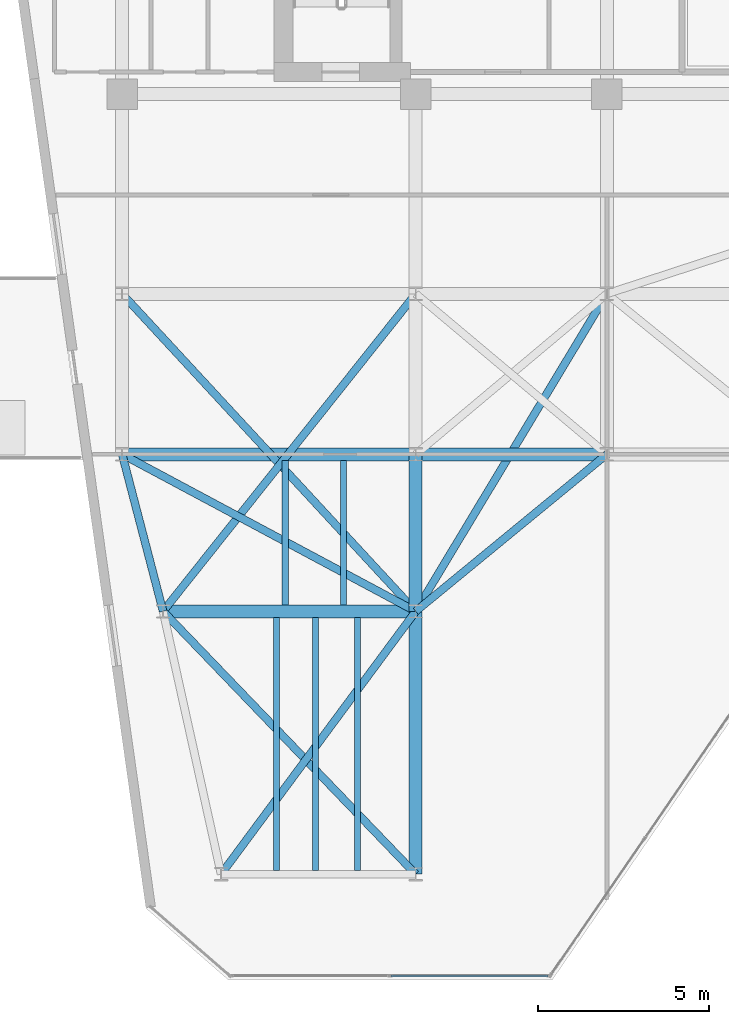
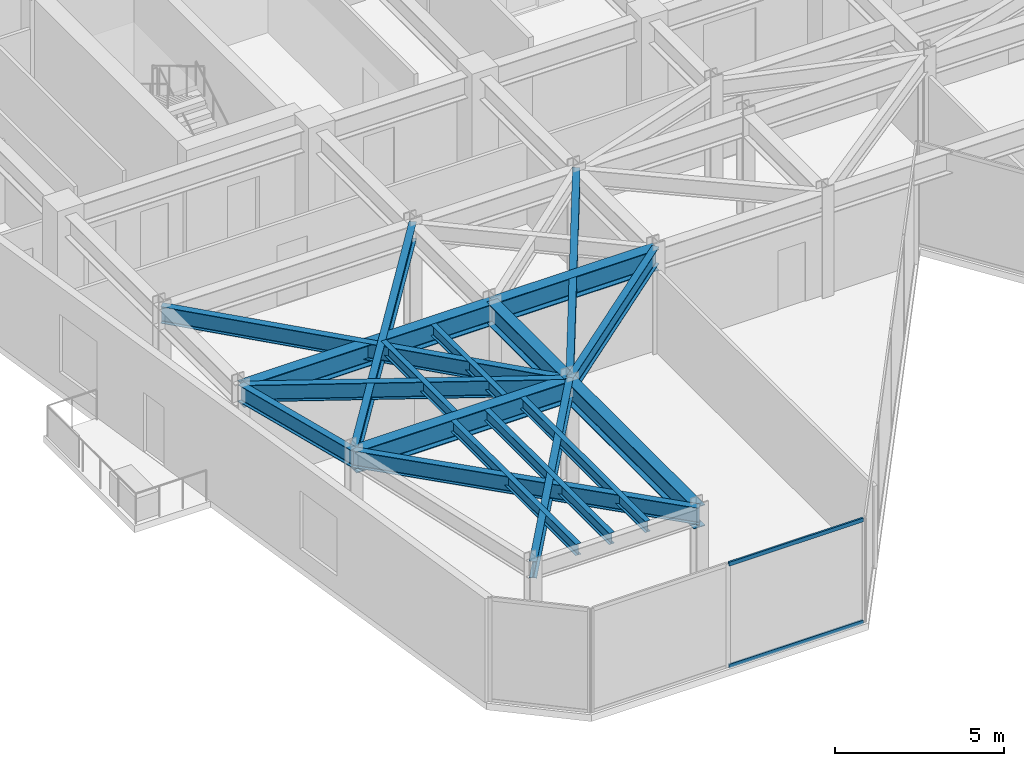
# One storey, part 3 of 21: 18 beams, 2 members, 1 element without a shape of its own.
"""IFC4 building model written with IfcOpenShell, lengths in metres."""

from ifc_helpers import new_model, si_unit, direction, frame, origin, origin_2d, place, context, subcontext, project, spatial, hollow_rectangle, i_section, extrude, material, layer, layer_set, material_profile, profile_set, type_object, element, aggregate, save


model = new_model("IFC4")

# Units and contexts
model_context = context("Model", 3, precision=1e-05, world=origin(), true_north=direction((0.0, 1.0)))
body_context = subcontext(model_context, "Body", "Model", "MODEL_VIEW")
ifc_project = project(units=[si_unit("LENGTHUNIT", "METRE"), si_unit("AREAUNIT", "SQUARE_METRE"), si_unit("VOLUMEUNIT", "CUBIC_METRE"), si_unit("PLANEANGLEUNIT", "RADIAN"), si_unit("MASSUNIT", "GRAM", prefix="KILO")], contexts=[model_context])

# Site, building, storey
site_placement = place(None, origin())
site = spatial("IfcSite", under=ifc_project, at=site_placement, CompositionType="ELEMENT")
building_placement = place(site_placement, origin())
building = spatial("IfcBuilding", under=site, at=building_placement, Name="Kravanh Interchange Tower", CompositionType="ELEMENT")
storey_placement = place(building_placement, frame((0.0, 0.0, 208.5)))
storey = spatial("IfcBuildingStorey", under=building, at=storey_placement, Name="L50", CompositionType="ELEMENT", Elevation=208.5)

# Curtain wall, members
ifc_material_1 = material(Name="Anodised Bronze Aluminium", Category="aluminium")
ifc_layer = layer(ifc_material_1, 0.179931640625)
ifc_layer_set = layer_set([ifc_layer], Name="Unitised Curtain Wall System CW-Z3 Upper Office")
curtain_wall_type = type_object("IfcCurtainWallType", Name="Unitised Curtain Wall System CW-Z3 Upper Office", PredefinedType="NOTDEFINED", material=ifc_layer_set)
curtain_wall_placement = place(storey_placement, origin())
curtain_wall = element("IfcCurtainWall", 1, at=curtain_wall_placement, inside=storey, type_object=curtain_wall_type, Name="L50 Unitised Curtain Wall CW-L50-05", PredefinedType="NOTDEFINED")
ifc_material_2 = material(Name="Anodised Bronze Aluminium", Category="aluminium")
ifc_material_profile_1 = material_profile(ifc_material_2, hollow_rectangle(XDim=0.06005859375, YDim=0.139892578125, WallThickness=0.00390625, at=origin_2d()), Name="ALU60X140X4")
ifc_profile_set_1 = profile_set([ifc_material_profile_1], Name="Anodised Bronze Aluminium")
member_type = type_object("IfcMemberType", Name="Curtain Wall Transom ALU60X140X4 Bronze", PredefinedType="USERDEFINED", material=ifc_profile_set_1)
member_1_placement = place(storey_placement, frame((31.076904296875, 11.52001953125, 0.030029296875), z_axis=(-1.0, 0.0, 0.0), x_axis=(0.0, -1.0, 0.0)))
member_1 = element("IfcMember", 2, at=member_1_placement, type_object=member_type, Name="CW-Z3 transom 1.1", ObjectType="TRANSOM", PredefinedType="USERDEFINED", context=body_context, shape_type="SweptSolid", body=[
    extrude(hollow_rectangle(XDim=0.06005859375, YDim=0.139892578125, WallThickness=0.00390625, at=origin_2d()), origin(), (0.0, 0.0, 1.0), 4.598876953125),
])
member_2_placement = place(storey_placement, frame((31.076904296875, 11.52001953125, 3.72509765625), z_axis=(-1.0, 0.0, 0.0), x_axis=(0.0, -1.0, 0.0)))
member_2 = element("IfcMember", 3, at=member_2_placement, type_object=member_type, Name="CW-Z3 transom 1.2", ObjectType="TRANSOM", PredefinedType="USERDEFINED", context=body_context, shape_type="SweptSolid", body=[
    extrude(hollow_rectangle(XDim=0.06005859375, YDim=0.139892578125, WallThickness=0.00390625, at=origin_2d()), origin(), (0.0, 0.0, 1.0), 4.598876953125),
])
aggregate(curtain_wall, [member_1, member_2])

# Beams
ifc_material_3 = material(Name="Structural Steel S355", Category="steel")
ifc_material_profile_2 = material_profile(ifc_material_3, i_section(OverallWidth=0.381103515625, OverallDepth=0.77294921875, WebThickness=0.0166015625, FlangeThickness=0.027099609375, FilletRadius=0.02490234375, at=origin_2d()), Name="W30X173")
ifc_profile_set_2 = profile_set([ifc_material_profile_2], Name="Structural Steel S355")
beam_type_1 = type_object("IfcBeamType", Name="Floor Beam W30X173 Structural Steel S355", PredefinedType="BEAM", material=ifc_profile_set_2)
beam_1_placement = place(storey_placement, frame((18.60009765625, 26.800048828125, 3.368408203125), z_axis=(1.0, 0.0, 0.0), x_axis=(0.0, 1.0, 0.0)))
element("IfcBeam", 4, at=beam_1_placement, inside=storey, type_object=beam_type_1, Name="L50 Primary Floor Girder 35", PredefinedType="BEAM", context=body_context, shape_type="SweptSolid", body=[
    extrude(i_section(OverallWidth=0.381103515625, OverallDepth=0.77294921875, WebThickness=0.0166015625, FlangeThickness=0.027099609375, FilletRadius=0.02490234375, at=origin_2d()), origin(), (0.0, 0.0, 1.0), 8.599853515625),
])
beam_2_placement = place(storey_placement, frame((27.199951171875, 26.800048828125, 3.368408203125), z_axis=(0.0, -1.0, 0.0), x_axis=(1.0, 0.0, 0.0)))
element("IfcBeam", 5, at=beam_2_placement, inside=storey, type_object=beam_type_1, Name="L50 Primary Floor Girder 37", PredefinedType="BEAM", context=body_context, shape_type="SweptSolid", body=[
    extrude(i_section(OverallWidth=0.381103515625, OverallDepth=0.77294921875, WebThickness=0.0166015625, FlangeThickness=0.027099609375, FilletRadius=0.02490234375, at=origin_2d()), origin(), (0.0, 0.0, 1.0), 4.60009765625),
])
beam_3_placement = place(storey_placement, frame((27.199951171875, 26.800048828125, 3.368408203125), z_axis=(1.0, 0.0, 0.0), x_axis=(0.0, 1.0, 0.0)))
element("IfcBeam", 6, at=beam_3_placement, inside=storey, type_object=beam_type_1, Name="L50 Primary Floor Girder 39", PredefinedType="BEAM", context=body_context, shape_type="SweptSolid", body=[
    extrude(i_section(OverallWidth=0.381103515625, OverallDepth=0.77294921875, WebThickness=0.0166015625, FlangeThickness=0.027099609375, FilletRadius=0.02490234375, at=origin_2d()), origin(), (0.0, 0.0, 1.0), 5.60009765625),
])
beam_4_placement = place(storey_placement, frame((27.199951171875, 14.5, 3.368408203125), z_axis=(0.0, 1.0, 0.0), x_axis=(-1.0, 0.0, 0.0)))
element("IfcBeam", 7, at=beam_4_placement, inside=storey, type_object=beam_type_1, Name="L50 Primary Floor Girder 70", PredefinedType="BEAM", context=body_context, shape_type="SweptSolid", body=[
    extrude(i_section(OverallWidth=0.381103515625, OverallDepth=0.77294921875, WebThickness=0.0166015625, FlangeThickness=0.027099609375, FilletRadius=0.02490234375, at=origin_2d()), origin(), (0.0, 0.0, 1.0), 7.699951171875),
])
beam_5_placement = place(storey_placement, frame((19.800048828125, 22.199951171875, 3.368408203125), z_axis=(1.0, 0.0, 0.0), x_axis=(0.0, 1.0, 0.0)))
element("IfcBeam", 8, at=beam_5_placement, inside=storey, type_object=beam_type_1, Name="L50 Primary Floor Girder 91", PredefinedType="BEAM", context=body_context, shape_type="SweptSolid", body=[
    extrude(i_section(OverallWidth=0.381103515625, OverallDepth=0.77294921875, WebThickness=0.0166015625, FlangeThickness=0.027099609375, FilletRadius=0.02490234375, at=origin_2d()), origin(), (0.0, 0.0, 1.0), 7.39990234375),
])
ifc_material_4 = material(Name="Structural Steel S355", Category="steel")
ifc_material_profile_3 = material_profile(ifc_material_4, i_section(OverallWidth=0.177978515625, OverallDepth=0.406005859375, WebThickness=0.0078125, FlangeThickness=0.0126953125, FilletRadius=0.01611328125, at=origin_2d()), Name="W16X40")
ifc_profile_set_3 = profile_set([ifc_material_profile_3], Name="Structural Steel S355")
beam_type_2 = type_object("IfcBeamType", Name="Floor Joist W16X40 Structural Steel S355", PredefinedType="JOIST", material=ifc_profile_set_3)
for number, where, z_axis, x_axis, name in (
    (9, (23.117919921875, 14.60888671875, 3.552001953125), (0.0, 1.0, 0.0), (-1.0, 0.0, 0.0), "L50 Secondary Floor Joist 1"),
    (10, (24.261962890625, 14.60888671875, 3.552001953125), (0.0, 1.0, 0.0), (-1.0, 0.0, 0.0), "L50 Secondary Floor Joist 2"),
    (11, (25.493896484375, 14.60888671875, 3.552001953125), (0.0, 1.0, 0.0), (-1.0, 0.0, 0.0), "L50 Secondary Floor Joist 3"),
):
    element("IfcBeam", number, at=place(storey_placement, frame(where, z_axis=z_axis, x_axis=x_axis)), inside=storey, type_object=beam_type_2, Name=name, PredefinedType="JOIST", context=body_context, shape_type="SweptSolid", body=[
        extrude(i_section(OverallWidth=0.177978515625, OverallDepth=0.406005859375, WebThickness=0.0078125, FlangeThickness=0.0126953125, FilletRadius=0.01611328125, at=origin_2d()), origin(), (0.0, 0.0, 1.0), 7.405517578125),
    ])
for number, where, z_axis, x_axis, name in (
    (12, (23.3779296875, 22.385498046875, 3.552001953125), (0.0, 1.0, 0.0), (-1.0, 0.0, 0.0), "L50 Secondary Floor Joist 8"),
    (13, (25.0859375, 22.385498046875, 3.552001953125), (0.0, 1.0, 0.0), (-1.0, 0.0, 0.0), "L50 Secondary Floor Joist 9"),
):
    element("IfcBeam", number, at=place(storey_placement, frame(where, z_axis=z_axis, x_axis=x_axis)), inside=storey, type_object=beam_type_2, Name=name, PredefinedType="JOIST", context=body_context, shape_type="SweptSolid", body=[
        extrude(i_section(OverallWidth=0.177978515625, OverallDepth=0.406005859375, WebThickness=0.0078125, FlangeThickness=0.0126953125, FilletRadius=0.01611328125, at=origin_2d()), origin(), (0.0, 0.0, 1.0), 4.22900390625),
    ])
ifc_material_5 = material(Name="Structural Steel S355", Category="steel")
ifc_material_profile_4 = material_profile(ifc_material_5, i_section(OverallWidth=0.22802734375, OverallDepth=0.60791015625, WebThickness=0.01123046875, FlangeThickness=0.017333984375, FilletRadius=0.02197265625, at=origin_2d()), Name="W24X76")
ifc_profile_set_4 = profile_set([ifc_material_profile_4], Name="Structural Steel S355")
beam_type_3 = type_object("IfcBeamType", Name="Floor Spandrel W24X76 Structural Steel S355", PredefinedType="SPANDREL", material=ifc_profile_set_4)
beam_6_placement = place(storey_placement, frame((21.5, 14.5, 3.450927734375), z_axis=(0.59497703726, 0.803742698339, 0.0), x_axis=(-0.803742698339, 0.59497703726, 0.0)))
element("IfcBeam", 14, at=beam_6_placement, inside=storey, type_object=beam_type_3, Name="L50 Perimeter Spandrel 32", PredefinedType="SPANDREL", context=body_context, shape_type="SweptSolid", body=[
    extrude(i_section(OverallWidth=0.22802734375, OverallDepth=0.60791015625, WebThickness=0.01123046875, FlangeThickness=0.017333984375, FilletRadius=0.02197265625, at=origin_2d()), origin(), (0.0, 0.0, 1.0), 9.580078125),
])
beam_7_placement = place(storey_placement, frame((18.60009765625, 26.800048828125, 3.450927734375), z_axis=(0.252407263364, -0.967621089787, 0.0), x_axis=(0.967621089787, 0.252407263364, 0.0)))
element("IfcBeam", 15, at=beam_7_placement, inside=storey, type_object=beam_type_3, Name="L50 Perimeter Spandrel 34", PredefinedType="SPANDREL", context=body_context, shape_type="SweptSolid", body=[
    extrude(i_section(OverallWidth=0.22802734375, OverallDepth=0.60791015625, WebThickness=0.01123046875, FlangeThickness=0.017333984375, FilletRadius=0.02197265625, at=origin_2d()), origin(), (0.0, 0.0, 1.0), 4.75390625),
])
beam_8_placement = place(storey_placement, frame((18.60009765625, 26.800048828125, 3.450927734375), z_axis=(0.881777136221, -0.471666282489, 0.0), x_axis=(0.471666282489, 0.881777136221, 0.0)))
element("IfcBeam", 16, at=beam_8_placement, inside=storey, type_object=beam_type_3, Name="L50 Perimeter Spandrel 36", PredefinedType="SPANDREL", context=body_context, shape_type="SweptSolid", body=[
    extrude(i_section(OverallWidth=0.22802734375, OverallDepth=0.60791015625, WebThickness=0.01123046875, FlangeThickness=0.017333984375, FilletRadius=0.02197265625, at=origin_2d()), origin(), (0.0, 0.0, 1.0), 9.7529296875),
])
beam_9_placement = place(storey_placement, frame((32.800048828125, 26.800048828125, 3.450927734375), z_axis=(-0.772725074305, -0.634740860147, 0.0), x_axis=(0.634740860147, -0.772725074305, 0.0)))
element("IfcBeam", 17, at=beam_9_placement, inside=storey, type_object=beam_type_3, Name="L50 Perimeter Spandrel 43", PredefinedType="SPANDREL", context=body_context, shape_type="SweptSolid", body=[
    extrude(i_section(OverallWidth=0.22802734375, OverallDepth=0.60791015625, WebThickness=0.01123046875, FlangeThickness=0.017333984375, FilletRadius=0.02197265625, at=origin_2d()), origin(), (0.0, 0.0, 1.0), 7.247314453125),
])
beam_10_placement = place(storey_placement, frame((18.60009765625, 31.5, 3.450927734375), z_axis=(0.678927458783, -0.734205356634, 0.0), x_axis=(0.734205356634, 0.678927458783, 0.0)))
element("IfcBeam", 18, at=beam_10_placement, inside=storey, type_object=beam_type_3, Name="L50 Perimeter Spandrel 63", PredefinedType="SPANDREL", context=body_context, shape_type="SweptSolid", body=[
    extrude(i_section(OverallWidth=0.22802734375, OverallDepth=0.60791015625, WebThickness=0.01123046875, FlangeThickness=0.017333984375, FilletRadius=0.02197265625, at=origin_2d()), origin(), (0.0, 0.0, 1.0), 12.666748046875),
])
beam_11_placement = place(storey_placement, frame((27.199951171875, 31.5, 3.450927734375), z_axis=(-0.622633646541, -0.782513477324, 0.0), x_axis=(0.782513477324, -0.622633646541, 0.0)))
element("IfcBeam", 19, at=beam_11_placement, inside=storey, type_object=beam_type_3, Name="L50 Perimeter Spandrel 66", PredefinedType="SPANDREL", context=body_context, shape_type="SweptSolid", body=[
    extrude(i_section(OverallWidth=0.22802734375, OverallDepth=0.60791015625, WebThickness=0.01123046875, FlangeThickness=0.017333984375, FilletRadius=0.02197265625, at=origin_2d()), origin(), (0.0, 0.0, 1.0), 11.884765625),
])
beam_12_placement = place(storey_placement, frame((32.800048828125, 31.5, 3.450927734375), z_axis=(-0.515854375109, -0.856676288735, 0.0), x_axis=(0.856676288735, -0.515854375109, 0.0)))
element("IfcBeam", 20, at=beam_12_placement, inside=storey, type_object=beam_type_3, Name="L50 Perimeter Spandrel 69", PredefinedType="SPANDREL", context=body_context, shape_type="SweptSolid", body=[
    extrude(i_section(OverallWidth=0.22802734375, OverallDepth=0.60791015625, WebThickness=0.01123046875, FlangeThickness=0.017333984375, FilletRadius=0.02197265625, at=origin_2d()), origin(), (0.0, 0.0, 1.0), 10.85595703125),
])
beam_13_placement = place(storey_placement, frame((27.199951171875, 14.5, 3.450927734375), z_axis=(-0.692919091225, 0.721015348669, 0.0), x_axis=(-0.721015348669, -0.692919091225, 0.0)))
element("IfcBeam", 21, at=beam_13_placement, inside=storey, type_object=beam_type_3, Name="L50 Perimeter Spandrel 71", PredefinedType="SPANDREL", context=body_context, shape_type="SweptSolid", body=[
    extrude(i_section(OverallWidth=0.22802734375, OverallDepth=0.60791015625, WebThickness=0.01123046875, FlangeThickness=0.017333984375, FilletRadius=0.02197265625, at=origin_2d()), origin(), (0.0, 0.0, 1.0), 10.67919921875),
])

save(model, "model.ifc")
